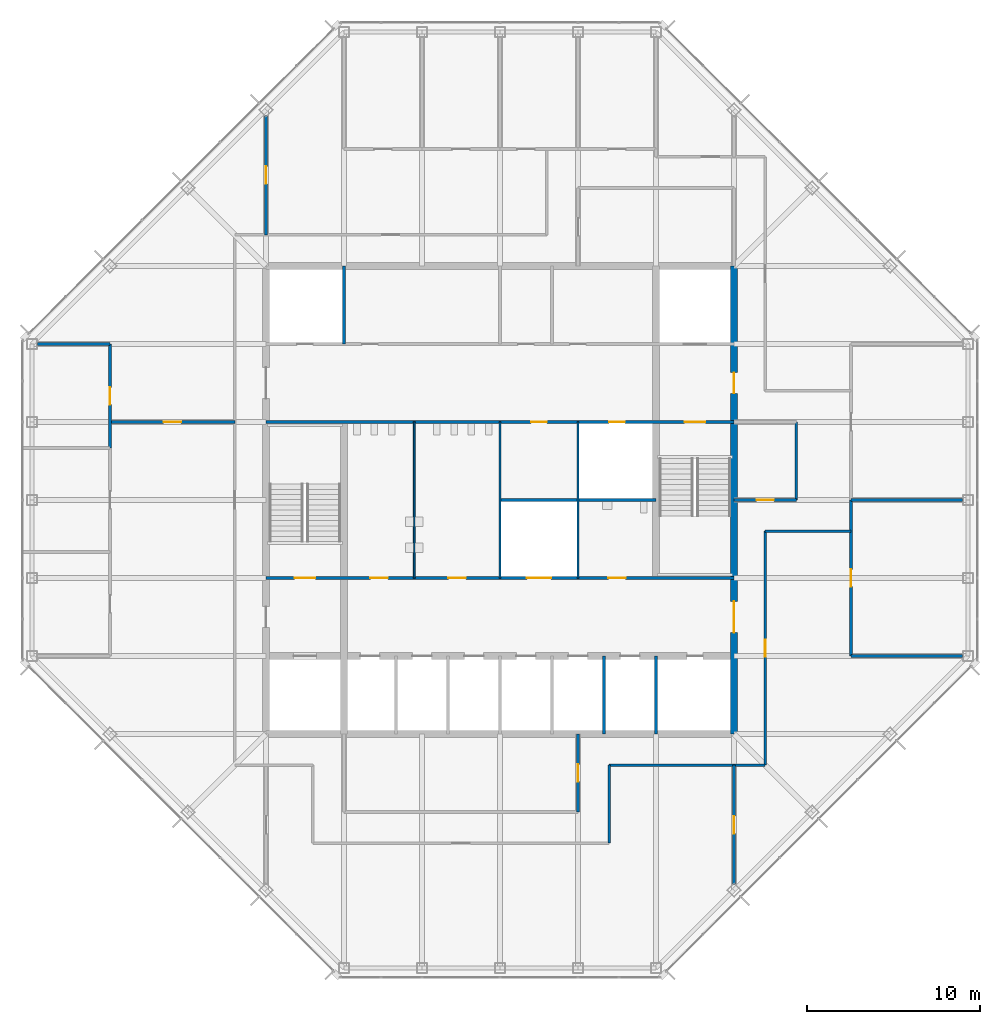
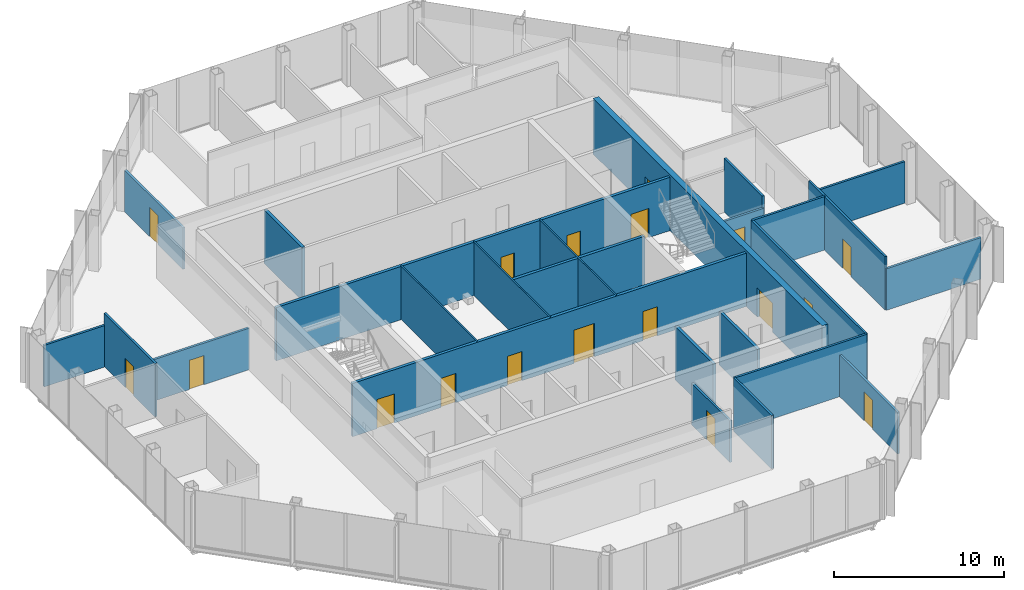
# One storey, part 10 of 14: 25 walls, 18 doors, 18 openings.
"""IFC4 building model written with IfcOpenShell, lengths in metres."""

from ifc_helpers import new_model, si_unit, direction, frame, frame_2d, origin, place, context, subcontext, project, spatial, rectangle, extrude, material, layer, layer_set, type_object, element, fill, save


model = new_model("IFC4")

# Units and contexts
model_context = context("Model", 3, precision=1e-05, world=origin(), true_north=direction((0.0, 1.0)))
body_context = subcontext(model_context, "Body", "Model", "MODEL_VIEW")
ifc_project = project(units=[si_unit("LENGTHUNIT", "METRE"), si_unit("AREAUNIT", "SQUARE_METRE"), si_unit("VOLUMEUNIT", "CUBIC_METRE"), si_unit("PLANEANGLEUNIT", "RADIAN"), si_unit("MASSUNIT", "GRAM", prefix="KILO")], contexts=[model_context])

# Site, building, storey
site_placement = place(None, origin())
site = spatial("IfcSite", under=ifc_project, at=site_placement, CompositionType="ELEMENT")
building_placement = place(site_placement, origin())
building = spatial("IfcBuilding", under=site, at=building_placement, Name="Corais Broadcast Tower", CompositionType="ELEMENT")
storey_placement = place(building_placement, frame((0.0, 0.0, 286.60009765625)))
storey = spatial("IfcBuildingStorey", under=building, at=storey_placement, Name="L67", CompositionType="ELEMENT", Elevation=286.60009765625)

# Walls
ifc_material_1 = material(Name="Concrete blockwork class A, grouted, two-hour", Category="masonry")
ifc_layer_1 = layer(ifc_material_1, 0.199951171875)
ifc_layer_set_1 = layer_set([ifc_layer_1], Name="Concrete blockwork class A, grouted, two-hour")
wall_type_1 = type_object("IfcWallType", Name="Core lobby wall 200", PredefinedType="SOLIDWALL", material=ifc_layer_set_1)
for number, where, z_axis, x_axis, name in (
    (1, (18.0, 36.0, 0.0), (0.0, 0.0, 1.0), (0.0, 1.0, 0.0), "CL3 core shaft wall X18B L67"),
    (2, (36.0, 13.5, 0.0), (0.0, 0.0, 1.0), (0.0, 1.0, 0.0), "CL3 core shaft wall X36A L67"),
):
    element("IfcWall", number, at=place(storey_placement, frame(where, z_axis=z_axis, x_axis=x_axis)), inside=storey, type_object=wall_type_1, Name=name, PredefinedType="SOLIDWALL", context=body_context, shape_type="SweptSolid", body=[
        extrude(rectangle(XDim=4.5, YDim=0.199951171875, at=frame_2d((2.25, 0.0))), origin(), (0.0, 0.0, 1.0), 3.83984375),
    ])

# Wall, openings, doors
wall_1_placement = place(storey_placement, frame((13.5, 22.5, 0.0), z_axis=(0.0, 0.0, 1.0), x_axis=(1.0, 0.0, 0.0)))
wall_1 = element("IfcWall", 3, at=wall_1_placement, inside=storey, type_object=wall_type_1, Name="CL3 core lobby wall Y225 L67", PredefinedType="SOLIDWALL", context=body_context, shape_type="SweptSolid", body=[
    extrude(rectangle(XDim=27.0, YDim=0.199951171875, at=frame_2d((13.5, 0.0))), origin(), (0.0, 0.0, 1.0), 3.83984375),
])
opening_1_placement = place(wall_1_placement, frame((1.64990234375, 0.0, 0.0)))
opening_1 = element("IfcOpeningElement", 4, at=opening_1_placement, cuts=wall_1, Name="Opening FD1", PredefinedType="OPENING", context=body_context, shape_type="SweptSolid", body=[
    extrude(rectangle(XDim=1.199951171875, YDim=2.10009765625, at=frame_2d((0.60009765625, 1.050048828125))), frame((0.0, 0.10986328125, 0.0), z_axis=(0.0, -1.0, 0.0), x_axis=(1.0, 0.0, 0.0)), (0.0, 0.0, 1.0), 0.219970703125),
])
opening_2_placement = place(wall_1_placement, frame((6.02490234375, 0.0, 0.0)))
opening_2 = element("IfcOpeningElement", 5, at=opening_2_placement, cuts=wall_1, Name="Opening WD1", PredefinedType="OPENING", context=body_context, shape_type="SweptSolid", body=[
    extrude(rectangle(XDim=1.0, YDim=2.10009765625, at=frame_2d((0.5, 1.050048828125))), frame((0.0, 0.10986328125, 0.0), z_axis=(0.0, -1.0, 0.0), x_axis=(1.0, 0.0, 0.0)), (0.0, 0.0, 1.0), 0.219970703125),
])
opening_3_placement = place(wall_1_placement, frame((10.52490234375, 0.0, 0.0)))
opening_3 = element("IfcOpeningElement", 6, at=opening_3_placement, cuts=wall_1, Name="Opening WD1", PredefinedType="OPENING", context=body_context, shape_type="SweptSolid", body=[
    extrude(rectangle(XDim=1.0, YDim=2.10009765625, at=frame_2d((0.5, 1.050048828125))), frame((0.0, 0.10986328125, 0.0), z_axis=(0.0, -1.0, 0.0), x_axis=(1.0, 0.0, 0.0)), (0.0, 0.0, 1.0), 0.219970703125),
])
opening_4_placement = place(wall_1_placement, frame((19.75, 0.0, 0.0)))
opening_4 = element("IfcOpeningElement", 7, at=opening_4_placement, cuts=wall_1, Name="Opening WD1", PredefinedType="OPENING", context=body_context, shape_type="SweptSolid", body=[
    extrude(rectangle(XDim=1.0, YDim=2.10009765625, at=frame_2d((0.5, 1.050048828125))), frame((0.0, 0.10986328125, 0.0), z_axis=(0.0, -1.0, 0.0), x_axis=(1.0, 0.0, 0.0)), (0.0, 0.0, 1.0), 0.219970703125),
])
opening_5_placement = place(wall_1_placement, frame((15.050048828125, 0.0, 0.0)))
opening_5 = element("IfcOpeningElement", 8, at=opening_5_placement, cuts=wall_1, Name="Opening LD3", PredefinedType="OPENING", context=body_context, shape_type="SweptSolid", body=[
    extrude(rectangle(XDim=1.39990234375, YDim=2.39990234375, at=frame_2d((0.699951171875, 1.199951171875))), frame((0.0, 0.10986328125, 0.0), z_axis=(0.0, -1.0, 0.0), x_axis=(1.0, 0.0, 0.0)), (0.0, 0.0, 1.0), 0.219970703125),
])
ifc_material_2 = material(Name="Steel fire door", Category="steel")
door_type_1 = type_object("IfcDoorType", Name="Fire door 1200x2100", OperationType="SINGLE_SWING_LEFT", PredefinedType="DOOR", material=ifc_material_2)
door_1_placement = place(opening_1_placement, origin())
door_1 = element("IfcDoor", 9, at=door_1_placement, inside=storey, type_object=door_type_1, Name="FD1 stair A door L67", OperationType="SINGLE_SWING_LEFT", OverallHeight=2.10009765625, OverallWidth=1.199951171875, PredefinedType="DOOR", context=body_context, shape_type="SweptSolid", body=[
    extrude(rectangle(XDim=1.199951171875, YDim=2.10009765625, at=frame_2d((0.60009765625, 1.050048828125))), frame((0.0, 0.02490234375, 0.0), z_axis=(0.0, -1.0, 0.0), x_axis=(1.0, 0.0, 0.0)), (0.0, 0.0, 1.0), 0.050048828125),
])
fill(opening_1, door_1)
ifc_material_3 = material(Name="Stainless steel lift door", Category="steel")
door_type_2 = type_object("IfcDoorType", Name="Service lift landing door 1400x2400", OperationType="SLIDING_TO_LEFT", PredefinedType="DOOR", material=ifc_material_3)
door_2_placement = place(opening_5_placement, origin())
door_2 = element("IfcDoor", 10, at=door_2_placement, inside=storey, type_object=door_type_2, Name="LD3 SL1 landing door L67", OperationType="SLIDING_TO_LEFT", OverallHeight=2.39990234375, OverallWidth=1.39990234375, PredefinedType="DOOR", context=body_context, shape_type="SweptSolid", body=[
    extrude(rectangle(XDim=1.39990234375, YDim=2.39990234375, at=frame_2d((0.699951171875, 1.199951171875))), frame((0.0, 0.02490234375, 0.0), z_axis=(0.0, -1.0, 0.0), x_axis=(1.0, 0.0, 0.0)), (0.0, 0.0, 1.0), 0.050048828125),
])
fill(opening_5, door_2)
ifc_material_4 = material(Name="Timber door", Category="wood")
door_type_3 = type_object("IfcDoorType", Name="Toilet door 1000x2100", OperationType="SINGLE_SWING_LEFT", PredefinedType="DOOR", material=ifc_material_4)
door_3_placement = place(opening_2_placement, origin())
door_3 = element("IfcDoor", 11, at=door_3_placement, inside=storey, type_object=door_type_3, Name="WD1 WC male door L67", OperationType="SINGLE_SWING_LEFT", OverallHeight=2.10009765625, OverallWidth=1.0, PredefinedType="DOOR", context=body_context, shape_type="SweptSolid", body=[
    extrude(rectangle(XDim=1.0, YDim=2.10009765625, at=frame_2d((0.5, 1.050048828125))), frame((0.0, 0.02490234375, 0.0), z_axis=(0.0, -1.0, 0.0), x_axis=(1.0, 0.0, 0.0)), (0.0, 0.0, 1.0), 0.050048828125),
])
fill(opening_2, door_3)
door_4_placement = place(opening_3_placement, origin())
door_4 = element("IfcDoor", 12, at=door_4_placement, inside=storey, type_object=door_type_3, Name="WD1 WC female door L67", OperationType="SINGLE_SWING_LEFT", OverallHeight=2.10009765625, OverallWidth=1.0, PredefinedType="DOOR", context=body_context, shape_type="SweptSolid", body=[
    extrude(rectangle(XDim=1.0, YDim=2.10009765625, at=frame_2d((0.5, 1.050048828125))), frame((0.0, 0.02490234375, 0.0), z_axis=(0.0, -1.0, 0.0), x_axis=(1.0, 0.0, 0.0)), (0.0, 0.0, 1.0), 0.050048828125),
])
fill(opening_3, door_4)
door_5_placement = place(opening_4_placement, origin())
door_5 = element("IfcDoor", 13, at=door_5_placement, inside=storey, type_object=door_type_3, Name="WD1 accessible WC door L67", OperationType="SINGLE_SWING_RIGHT", OverallHeight=2.10009765625, OverallWidth=1.0, PredefinedType="DOOR", context=body_context, shape_type="SweptSolid", body=[
    extrude(rectangle(XDim=1.0, YDim=2.10009765625, at=frame_2d((0.5, 1.050048828125))), frame((0.0, 0.02490234375, 0.0), z_axis=(0.0, -1.0, 0.0), x_axis=(1.0, 0.0, 0.0)), (0.0, 0.0, 1.0), 0.050048828125),
])
fill(opening_4, door_5)

wall_2_placement = place(storey_placement, frame((13.5, 31.5, 0.0), z_axis=(0.0, 0.0, 1.0), x_axis=(1.0, 0.0, 0.0)))
wall_2 = element("IfcWall", 14, at=wall_2_placement, inside=storey, type_object=wall_type_1, Name="CL3 core lobby wall Y315 L67", PredefinedType="SOLIDWALL", context=body_context, shape_type="SweptSolid", body=[
    extrude(rectangle(XDim=27.0, YDim=0.199951171875, at=frame_2d((13.5, 0.0))), origin(), (0.0, 0.0, 1.0), 3.83984375),
])
opening_6_placement = place(wall_2_placement, frame((24.14990234375, 0.0, 0.0)))
opening_6 = element("IfcOpeningElement", 15, at=opening_6_placement, cuts=wall_2, Name="Opening FD1", PredefinedType="OPENING", context=body_context, shape_type="SweptSolid", body=[
    extrude(rectangle(XDim=1.199951171875, YDim=2.10009765625, at=frame_2d((0.60009765625, 1.050048828125))), frame((0.0, 0.10986328125, 0.0), z_axis=(0.0, -1.0, 0.0), x_axis=(1.0, 0.0, 0.0)), (0.0, 0.0, 1.0), 0.219970703125),
])
opening_7_placement = place(wall_2_placement, frame((15.300048828125, 0.0, 0.0)))
opening_7 = element("IfcOpeningElement", 16, at=opening_7_placement, cuts=wall_2, Name="Opening RD1", PredefinedType="OPENING", context=body_context, shape_type="SweptSolid", body=[
    extrude(rectangle(XDim=0.89990234375, YDim=2.10009765625, at=frame_2d((0.449951171875, 1.050048828125))), frame((0.0, 0.10986328125, 0.0), z_axis=(0.0, -1.0, 0.0), x_axis=(1.0, 0.0, 0.0)), (0.0, 0.0, 1.0), 0.219970703125),
])
opening_8_placement = place(wall_2_placement, frame((19.800048828125, 0.0, 0.0)))
opening_8 = element("IfcOpeningElement", 17, at=opening_8_placement, cuts=wall_2, Name="Opening RD1", PredefinedType="OPENING", context=body_context, shape_type="SweptSolid", body=[
    extrude(rectangle(XDim=0.89990234375, YDim=2.10009765625, at=frame_2d((0.449951171875, 1.050048828125))), frame((0.0, 0.10986328125, 0.0), z_axis=(0.0, -1.0, 0.0), x_axis=(1.0, 0.0, 0.0)), (0.0, 0.0, 1.0), 0.219970703125),
])
door_6_placement = place(opening_6_placement, origin())
door_6 = element("IfcDoor", 18, at=door_6_placement, inside=storey, type_object=door_type_1, Name="FD1 stair B door L67", OperationType="SINGLE_SWING_RIGHT", OverallHeight=2.10009765625, OverallWidth=1.199951171875, PredefinedType="DOOR", context=body_context, shape_type="SweptSolid", body=[
    extrude(rectangle(XDim=1.199951171875, YDim=2.10009765625, at=frame_2d((0.60009765625, 1.050048828125))), frame((0.0, 0.02490234375, 0.0), z_axis=(0.0, -1.0, 0.0), x_axis=(1.0, 0.0, 0.0)), (0.0, 0.0, 1.0), 0.050048828125),
])
fill(opening_6, door_6)
ifc_material_5 = material(Name="Steel fire door", Category="steel")
door_type_4 = type_object("IfcDoorType", Name="Riser door 900x2100", OperationType="SINGLE_SWING_LEFT", PredefinedType="DOOR", material=ifc_material_5)
door_7_placement = place(opening_7_placement, origin())
door_7 = element("IfcDoor", 19, at=door_7_placement, inside=storey, type_object=door_type_4, Name="RD1 print room door L67", OperationType="SINGLE_SWING_RIGHT", OverallHeight=2.10009765625, OverallWidth=0.89990234375, PredefinedType="DOOR", context=body_context, shape_type="SweptSolid", body=[
    extrude(rectangle(XDim=0.89990234375, YDim=2.10009765625, at=frame_2d((0.449951171875, 1.050048828125))), frame((0.0, 0.02490234375, 0.0), z_axis=(0.0, -1.0, 0.0), x_axis=(1.0, 0.0, 0.0)), (0.0, 0.0, 1.0), 0.050048828125),
])
fill(opening_7, door_7)
door_8_placement = place(opening_8_placement, origin())
door_8 = element("IfcDoor", 20, at=door_8_placement, inside=storey, type_object=door_type_4, Name="RD1 riser door L67", OperationType="SINGLE_SWING_RIGHT", OverallHeight=2.10009765625, OverallWidth=0.89990234375, PredefinedType="DOOR", context=body_context, shape_type="SweptSolid", body=[
    extrude(rectangle(XDim=0.89990234375, YDim=2.10009765625, at=frame_2d((0.449951171875, 1.050048828125))), frame((0.0, 0.02490234375, 0.0), z_axis=(0.0, -1.0, 0.0), x_axis=(1.0, 0.0, 0.0)), (0.0, 0.0, 1.0), 0.050048828125),
])
fill(opening_8, door_8)

ifc_material_6 = material(Name="Concrete C50/60", Category="concrete")
ifc_layer_2 = layer(ifc_material_6, 0.39990234375)
ifc_layer_set_2 = layer_set([ifc_layer_2], Name="Concrete C50/60")
wall_type_2 = type_object("IfcWallType", Name="Core wall 400", PredefinedType="SHEAR", material=ifc_layer_set_2)
wall_3_placement = place(storey_placement, frame((40.5, 13.5, 0.0), z_axis=(0.0, 0.0, 1.0), x_axis=(0.0, 1.0, 0.0)))
wall_3 = element("IfcWall", 21, at=wall_3_placement, inside=storey, type_object=wall_type_2, Name="CR400 core wall E L67", PredefinedType="SHEAR", context=body_context, shape_type="SweptSolid", body=[
    extrude(rectangle(XDim=27.0, YDim=0.39990234375, at=frame_2d((13.5, 0.0))), origin(), (0.0, 0.0, 1.0), 4.0),
])
opening_9_placement = place(wall_3_placement, frame((5.85009765625, 0.0, 0.0)))
opening_9 = element("IfcOpeningElement", 22, at=opening_9_placement, cuts=wall_3, Name="Opening FD2", PredefinedType="OPENING", context=body_context, shape_type="SweptSolid", body=[
    extrude(rectangle(XDim=1.800048828125, YDim=2.10009765625, at=frame_2d((0.89990234375, 1.050048828125))), frame((0.0, 0.2099609375, 0.0), z_axis=(0.0, -1.0, 0.0), x_axis=(1.0, 0.0, 0.0)), (0.0, 0.0, 1.0), 0.419921875),
])
opening_10_placement = place(wall_3_placement, frame((19.64990234375, 0.0, 0.0)))
opening_10 = element("IfcOpeningElement", 23, at=opening_10_placement, cuts=wall_3, Name="Opening FD1", PredefinedType="OPENING", context=body_context, shape_type="SweptSolid", body=[
    extrude(rectangle(XDim=1.199951171875, YDim=2.10009765625, at=frame_2d((0.60009765625, 1.050048828125))), frame((0.0, 0.2099609375, 0.0), z_axis=(0.0, -1.0, 0.0), x_axis=(1.0, 0.0, 0.0)), (0.0, 0.0, 1.0), 0.419921875),
])
door_9_placement = place(opening_10_placement, origin())
door_9 = element("IfcDoor", 24, at=door_9_placement, inside=storey, type_object=door_type_1, Name="FD1 fire lobby B door L67", OperationType="SINGLE_SWING_RIGHT", OverallHeight=2.10009765625, OverallWidth=1.199951171875, PredefinedType="DOOR", context=body_context, shape_type="SweptSolid", body=[
    extrude(rectangle(XDim=1.199951171875, YDim=2.10009765625, at=frame_2d((0.60009765625, 1.050048828125))), frame((0.0, 0.02490234375, 0.0), z_axis=(0.0, -1.0, 0.0), x_axis=(1.0, 0.0, 0.0)), (0.0, 0.0, 1.0), 0.050048828125),
])
fill(opening_10, door_9)
ifc_material_7 = material(Name="Steel fire door", Category="steel")
door_type_5 = type_object("IfcDoorType", Name="Fire door pair 1800x2100", OperationType="DOUBLE_DOOR_SINGLE_SWING", PredefinedType="DOOR", material=ifc_material_7)
door_10_placement = place(opening_9_placement, origin())
door_10 = element("IfcDoor", 25, at=door_10_placement, inside=storey, type_object=door_type_5, Name="FD2 lift lobby door L67", OperationType="SINGLE_SWING_LEFT", OverallHeight=2.10009765625, OverallWidth=1.800048828125, PredefinedType="DOOR", context=body_context, shape_type="SweptSolid", body=[
    extrude(rectangle(XDim=1.800048828125, YDim=2.10009765625, at=frame_2d((0.89990234375, 1.050048828125))), frame((0.0, 0.02490234375, 0.0), z_axis=(0.0, -1.0, 0.0), x_axis=(1.0, 0.0, 0.0)), (0.0, 0.0, 1.0), 0.050048828125),
])
fill(opening_9, door_10)

# Wall, opening, door
ifc_material_8 = material(Name="Gypsum board on steel studs", Category="steel")
ifc_layer_3 = layer(ifc_material_8, 0.14990234375)
ifc_layer_set_3 = layer_set([ifc_layer_3], Name="Gypsum board on steel studs")
wall_type_3 = type_object("IfcWallType", Name="Partition 150", PredefinedType="PARTITIONING", material=ifc_layer_set_3)
wall_4_placement = place(storey_placement, frame((42.300048828125, 11.699951171875, 0.0), z_axis=(0.0, 0.0, 1.0), x_axis=(0.0, 1.0, 0.0)))
wall_4 = element("IfcWall", 26, at=wall_4_placement, inside=storey, type_object=wall_type_3, Name="IW3 corridor wall L67", PredefinedType="PARTITIONING", context=body_context, shape_type="SweptSolid", body=[
    extrude(rectangle(XDim=13.5, YDim=0.14990234375, at=frame_2d((6.75, 0.0))), origin(), (0.0, 0.0, 1.0), 3.83984375),
])
opening_11_placement = place(wall_4_placement, frame((6.25, 0.0, 0.0)))
opening_11 = element("IfcOpeningElement", 27, at=opening_11_placement, cuts=wall_4, Name="Opening D1", PredefinedType="OPENING", context=body_context, shape_type="SweptSolid", body=[
    extrude(rectangle(XDim=1.0, YDim=2.10009765625, at=frame_2d((0.5, 1.050048828125))), frame((0.0, 0.0849609375, 0.0), z_axis=(0.0, -1.0, 0.0), x_axis=(1.0, 0.0, 0.0)), (0.0, 0.0, 1.0), 0.169921875),
])
ifc_material_9 = material(Name="Timber door", Category="wood")
door_type_6 = type_object("IfcDoorType", Name="Single door 1000x2100", OperationType="SINGLE_SWING_LEFT", PredefinedType="DOOR", material=ifc_material_9)
door_11_placement = place(opening_11_placement, origin())
door_11 = element("IfcDoor", 28, at=door_11_placement, inside=storey, type_object=door_type_6, Name="D1 workplace door L67", OperationType="SINGLE_SWING_LEFT", OverallHeight=2.10009765625, OverallWidth=1.0, PredefinedType="DOOR", context=body_context, shape_type="SweptSolid", body=[
    extrude(rectangle(XDim=1.0, YDim=2.10009765625, at=frame_2d((0.5, 1.050048828125))), frame((0.0, 0.02490234375, 0.0), z_axis=(0.0, -1.0, 0.0), x_axis=(1.0, 0.0, 0.0)), (0.0, 0.0, 1.0), 0.050048828125),
])
fill(opening_11, door_11)

# Walls
wall_5_placement = place(storey_placement, frame((33.300048828125, 11.699951171875, 0.0), z_axis=(0.0, 0.0, 1.0), x_axis=(1.0, 0.0, 0.0)))
element("IfcWall", 29, at=wall_5_placement, inside=storey, type_object=wall_type_3, Name="IW3 corridor wall L67", PredefinedType="PARTITIONING", context=body_context, shape_type="SweptSolid", body=[
    extrude(rectangle(XDim=9.0, YDim=0.14990234375, at=frame_2d((4.5, 0.0))), origin(), (0.0, 0.0, 1.0), 3.83984375),
])
wall_6_placement = place(storey_placement, frame((42.300048828125, 25.199951171875, 0.0), z_axis=(0.0, 0.0, 1.0), x_axis=(1.0, 0.0, 0.0)))
element("IfcWall", 30, at=wall_6_placement, inside=storey, type_object=wall_type_3, Name="IW3 corridor wall L67", PredefinedType="PARTITIONING", context=body_context, shape_type="SweptSolid", body=[
    extrude(rectangle(XDim=4.949951171875, YDim=0.14990234375, at=frame_2d((2.47509765625, 0.0))), origin(), (0.0, 0.0, 1.0), 3.83984375),
])
wall_7_placement = place(storey_placement, frame((33.300048828125, 7.199951171875, 0.0), z_axis=(0.0, 0.0, 1.0), x_axis=(0.0, 1.0, 0.0)))
element("IfcWall", 31, at=wall_7_placement, inside=storey, type_object=wall_type_3, Name="IW3 corridor wall L67", PredefinedType="PARTITIONING", context=body_context, shape_type="SweptSolid", body=[
    extrude(rectangle(XDim=4.5, YDim=0.14990234375, at=frame_2d((2.25, 0.0))), origin(), (0.0, 0.0, 1.0), 3.83984375),
])

# Wall, opening, door
wall_8_placement = place(storey_placement, frame((4.5, 30.0, 0.0), z_axis=(0.0, 0.0, 1.0), x_axis=(0.0, 1.0, 0.0)))
wall_8 = element("IfcWall", 32, at=wall_8_placement, inside=storey, type_object=wall_type_3, Name="IW3 partition L67", PredefinedType="PARTITIONING", context=body_context, shape_type="SweptSolid", body=[
    extrude(rectangle(XDim=6.0, YDim=0.14990234375, at=frame_2d((3.0, 0.0))), origin(), (0.0, 0.0, 1.0), 3.83984375),
])
opening_12_placement = place(wall_8_placement, frame((2.5, 0.0, 0.0)))
opening_12 = element("IfcOpeningElement", 33, at=opening_12_placement, cuts=wall_8, Name="Opening D1", PredefinedType="OPENING", context=body_context, shape_type="SweptSolid", body=[
    extrude(rectangle(XDim=1.0, YDim=2.10009765625, at=frame_2d((0.5, 1.050048828125))), frame((0.0, 0.0849609375, 0.0), z_axis=(0.0, -1.0, 0.0), x_axis=(1.0, 0.0, 0.0)), (0.0, 0.0, 1.0), 0.169921875),
])
door_12_placement = place(opening_12_placement, origin())
door_12 = element("IfcDoor", 34, at=door_12_placement, inside=storey, type_object=door_type_6, Name="D1 Office door", OperationType="SINGLE_SWING_LEFT", OverallHeight=2.10009765625, OverallWidth=1.0, PredefinedType="DOOR", context=body_context, shape_type="SweptSolid", body=[
    extrude(rectangle(XDim=1.0, YDim=2.10009765625, at=frame_2d((0.5, 1.050048828125))), frame((0.0, 0.02490234375, 0.0), z_axis=(0.0, -1.0, 0.0), x_axis=(1.0, 0.0, 0.0)), (0.0, 0.0, 1.0), 0.050048828125),
])
fill(opening_12, door_12)

# Wall
wall_9_placement = place(storey_placement, frame((4.5, 36.0, 0.0), z_axis=(0.0, 0.0, 1.0), x_axis=(-1.0, 0.0, 0.0)))
element("IfcWall", 35, at=wall_9_placement, inside=storey, type_object=wall_type_3, Name="IW3 partition L67", PredefinedType="PARTITIONING", context=body_context, shape_type="SweptSolid", body=[
    extrude(rectangle(XDim=4.18994140625, YDim=0.14990234375, at=frame_2d((2.094970703125, 0.0))), origin(), (0.0, 0.0, 1.0), 2.989013671875),
])

# Wall, opening, door
wall_10_placement = place(storey_placement, frame((31.5, 9.0, 0.0), z_axis=(0.0, 0.0, 1.0), x_axis=(0.0, 1.0, 0.0)))
wall_10 = element("IfcWall", 36, at=wall_10_placement, inside=storey, type_object=wall_type_3, Name="IW3 partition L67", PredefinedType="PARTITIONING", context=body_context, shape_type="SweptSolid", body=[
    extrude(rectangle(XDim=4.5, YDim=0.14990234375, at=frame_2d((2.25, 0.0))), origin(), (0.0, 0.0, 1.0), 2.989013671875),
])
opening_13_placement = place(wall_10_placement, frame((1.75, 0.0, 0.0)))
opening_13 = element("IfcOpeningElement", 37, at=opening_13_placement, cuts=wall_10, Name="Opening D1", PredefinedType="OPENING", context=body_context, shape_type="SweptSolid", body=[
    extrude(rectangle(XDim=1.0, YDim=2.10009765625, at=frame_2d((0.5, 1.050048828125))), frame((0.0, 0.0849609375, 0.0), z_axis=(0.0, -1.0, 0.0), x_axis=(1.0, 0.0, 0.0)), (0.0, 0.0, 1.0), 0.169921875),
])
door_13_placement = place(opening_13_placement, origin())
door_13 = element("IfcDoor", 38, at=door_13_placement, inside=storey, type_object=door_type_6, Name="D1 Board meeting room door", OperationType="SINGLE_SWING_LEFT", OverallHeight=2.10009765625, OverallWidth=1.0, PredefinedType="DOOR", context=body_context, shape_type="SweptSolid", body=[
    extrude(rectangle(XDim=1.0, YDim=2.10009765625, at=frame_2d((0.5, 1.050048828125))), frame((0.0, 0.02490234375, 0.0), z_axis=(0.0, -1.0, 0.0), x_axis=(1.0, 0.0, 0.0)), (0.0, 0.0, 1.0), 0.050048828125),
])
fill(opening_13, door_13)

wall_11_placement = place(storey_placement, frame((40.5, 27.0, 0.0), z_axis=(0.0, 0.0, 1.0), x_axis=(1.0, 0.0, 0.0)))
wall_11 = element("IfcWall", 39, at=wall_11_placement, inside=storey, type_object=wall_type_3, Name="IW3 partition L67", PredefinedType="PARTITIONING", context=body_context, shape_type="SweptSolid", body=[
    extrude(rectangle(XDim=3.60009765625, YDim=0.14990234375, at=frame_2d((1.800048828125, 0.0))), origin(), (0.0, 0.0, 1.0), 2.989013671875),
])
opening_14_placement = place(wall_11_placement, frame((1.300048828125, 0.0, 0.0)))
opening_14 = element("IfcOpeningElement", 40, at=opening_14_placement, cuts=wall_11, Name="Opening D1", PredefinedType="OPENING", context=body_context, shape_type="SweptSolid", body=[
    extrude(rectangle(XDim=1.0, YDim=2.10009765625, at=frame_2d((0.5, 1.050048828125))), frame((0.0, 0.0849609375, 0.0), z_axis=(0.0, -1.0, 0.0), x_axis=(1.0, 0.0, 0.0)), (0.0, 0.0, 1.0), 0.169921875),
])
door_14_placement = place(opening_14_placement, origin())
door_14 = element("IfcDoor", 41, at=door_14_placement, inside=storey, type_object=door_type_6, Name="D1 Pantry door", OperationType="SINGLE_SWING_LEFT", OverallHeight=2.10009765625, OverallWidth=1.0, PredefinedType="DOOR", context=body_context, shape_type="SweptSolid", body=[
    extrude(rectangle(XDim=1.0, YDim=2.10009765625, at=frame_2d((0.5, 1.050048828125))), frame((0.0, 0.02490234375, 0.0), z_axis=(0.0, -1.0, 0.0), x_axis=(1.0, 0.0, 0.0)), (0.0, 0.0, 1.0), 0.050048828125),
])
fill(opening_14, door_14)

# Walls
wall_12_placement = place(storey_placement, frame((44.10009765625, 27.0, 0.0), z_axis=(0.0, 0.0, 1.0), x_axis=(0.0, 1.0, 0.0)))
element("IfcWall", 42, at=wall_12_placement, inside=storey, type_object=wall_type_3, Name="IW3 partition L67", PredefinedType="PARTITIONING", context=body_context, shape_type="SweptSolid", body=[
    extrude(rectangle(XDim=4.5, YDim=0.14990234375, at=frame_2d((2.25, 0.0))), origin(), (0.0, 0.0, 1.0), 3.83984375),
])
for number, where, z_axis, x_axis, name in (
    (43, (47.25, 18.0, 0.0), (0.0, 0.0, 1.0), (1.0, 0.0, 0.0), "IW3 partition L67"),
    (44, (53.68994140625, 27.0, 0.0), (0.0, 0.0, 1.0), (-1.0, 0.0, 0.0), "IW3 partition L67"),
):
    element("IfcWall", number, at=place(storey_placement, frame(where, z_axis=z_axis, x_axis=x_axis)), inside=storey, type_object=wall_type_3, Name=name, PredefinedType="PARTITIONING", context=body_context, shape_type="SweptSolid", body=[
        extrude(rectangle(XDim=6.43994140625, YDim=0.14990234375, at=frame_2d((3.219970703125, 0.0))), origin(), (0.0, 0.0, 1.0), 2.989013671875),
    ])

# Wall, opening, door
wall_13_placement = place(storey_placement, frame((47.25, 27.0, 0.0), z_axis=(0.0, 0.0, 1.0), x_axis=(0.0, -1.0, 0.0)))
wall_13 = element("IfcWall", 45, at=wall_13_placement, inside=storey, type_object=wall_type_3, Name="IW3 partition L67", PredefinedType="PARTITIONING", context=body_context, shape_type="SweptSolid", body=[
    extrude(rectangle(XDim=9.0, YDim=0.14990234375, at=frame_2d((4.5, 0.0))), origin(), (0.0, 0.0, 1.0), 3.83984375),
])
opening_15_placement = place(wall_13_placement, frame((4.0, 0.0, 0.0)))
opening_15 = element("IfcOpeningElement", 46, at=opening_15_placement, cuts=wall_13, Name="Opening D1", PredefinedType="OPENING", context=body_context, shape_type="SweptSolid", body=[
    extrude(rectangle(XDim=1.0, YDim=2.10009765625, at=frame_2d((0.5, 1.050048828125))), frame((0.0, 0.0849609375, 0.0), z_axis=(0.0, -1.0, 0.0), x_axis=(1.0, 0.0, 0.0)), (0.0, 0.0, 1.0), 0.169921875),
])
door_15_placement = place(opening_15_placement, origin())
door_15 = element("IfcDoor", 47, at=door_15_placement, inside=storey, type_object=door_type_6, Name="D1 Counsel suite door", OperationType="SINGLE_SWING_LEFT", OverallHeight=2.10009765625, OverallWidth=1.0, PredefinedType="DOOR", context=body_context, shape_type="SweptSolid", body=[
    extrude(rectangle(XDim=1.0, YDim=2.10009765625, at=frame_2d((0.5, 1.050048828125))), frame((0.0, 0.02490234375, 0.0), z_axis=(0.0, -1.0, 0.0), x_axis=(1.0, 0.0, 0.0)), (0.0, 0.0, 1.0), 0.050048828125),
])
fill(opening_15, door_15)

wall_14_placement = place(storey_placement, frame((13.5, 42.300048828125, 0.0), z_axis=(0.0, 0.0, 1.0), x_axis=(0.0, 1.0, 0.0)))
wall_14 = element("IfcWall", 48, at=wall_14_placement, inside=storey, type_object=wall_type_3, Name="IW3 partition L67", PredefinedType="PARTITIONING", context=body_context, shape_type="SweptSolid", body=[
    extrude(rectangle(XDim=6.8798828125, YDim=0.14990234375, at=frame_2d((3.43994140625, 0.0))), origin(), (0.0, 0.0, 1.0), 2.989013671875),
])
opening_16_placement = place(wall_14_placement, frame((2.93994140625, 0.0, 0.0)))
opening_16 = element("IfcOpeningElement", 49, at=opening_16_placement, cuts=wall_14, Name="Opening D1", PredefinedType="OPENING", context=body_context, shape_type="SweptSolid", body=[
    extrude(rectangle(XDim=1.0, YDim=2.10009765625, at=frame_2d((0.5, 1.050048828125))), frame((0.0, 0.0849609375, 0.0), z_axis=(0.0, -1.0, 0.0), x_axis=(1.0, 0.0, 0.0)), (0.0, 0.0, 1.0), 0.169921875),
])
door_16_placement = place(opening_16_placement, origin())
door_16 = element("IfcDoor", 50, at=door_16_placement, inside=storey, type_object=door_type_6, Name="D1 team room door L67", OperationType="SINGLE_SWING_LEFT", OverallHeight=2.10009765625, OverallWidth=1.0, PredefinedType="DOOR", context=body_context, shape_type="SweptSolid", body=[
    extrude(rectangle(XDim=1.0, YDim=2.10009765625, at=frame_2d((0.5, 1.050048828125))), frame((0.0, 0.02490234375, 0.0), z_axis=(0.0, -1.0, 0.0), x_axis=(1.0, 0.0, 0.0)), (0.0, 0.0, 1.0), 0.050048828125),
])
fill(opening_16, door_16)

wall_15_placement = place(storey_placement, frame((40.5, 4.820068359375, 0.0), z_axis=(0.0, 0.0, 1.0), x_axis=(0.0, 1.0, 0.0)))
wall_15 = element("IfcWall", 51, at=wall_15_placement, inside=storey, type_object=wall_type_3, Name="IW3 partition L67", PredefinedType="PARTITIONING", context=body_context, shape_type="SweptSolid", body=[
    extrude(rectangle(XDim=6.8798828125, YDim=0.14990234375, at=frame_2d((3.43994140625, 0.0))), origin(), (0.0, 0.0, 1.0), 2.989013671875),
])
opening_17_placement = place(wall_15_placement, frame((2.93994140625, 0.0, 0.0)))
opening_17 = element("IfcOpeningElement", 52, at=opening_17_placement, cuts=wall_15, Name="Opening D1", PredefinedType="OPENING", context=body_context, shape_type="SweptSolid", body=[
    extrude(rectangle(XDim=1.0, YDim=2.10009765625, at=frame_2d((0.5, 1.050048828125))), frame((0.0, 0.0849609375, 0.0), z_axis=(0.0, -1.0, 0.0), x_axis=(1.0, 0.0, 0.0)), (0.0, 0.0, 1.0), 0.169921875),
])
door_17_placement = place(opening_17_placement, origin())
door_17 = element("IfcDoor", 53, at=door_17_placement, inside=storey, type_object=door_type_6, Name="D1 team room door L67", OperationType="SINGLE_SWING_LEFT", OverallHeight=2.10009765625, OverallWidth=1.0, PredefinedType="DOOR", context=body_context, shape_type="SweptSolid", body=[
    extrude(rectangle(XDim=1.0, YDim=2.10009765625, at=frame_2d((0.5, 1.050048828125))), frame((0.0, 0.02490234375, 0.0), z_axis=(0.0, -1.0, 0.0), x_axis=(1.0, 0.0, 0.0)), (0.0, 0.0, 1.0), 0.050048828125),
])
fill(opening_17, door_17)

wall_16_placement = place(storey_placement, frame((4.5, 31.5, 0.0), z_axis=(0.0, 0.0, 1.0), x_axis=(1.0, 0.0, 0.0)))
wall_16 = element("IfcWall", 54, at=wall_16_placement, inside=storey, type_object=wall_type_3, Name="IW3 partition L67", PredefinedType="PARTITIONING", context=body_context, shape_type="SweptSolid", body=[
    extrude(rectangle(XDim=7.199951171875, YDim=0.14990234375, at=frame_2d((3.60009765625, 0.0))), origin(), (0.0, 0.0, 1.0), 2.989013671875),
])
opening_18_placement = place(wall_16_placement, frame((3.10009765625, 0.0, 0.0)))
opening_18 = element("IfcOpeningElement", 55, at=opening_18_placement, cuts=wall_16, Name="Opening D1", PredefinedType="OPENING", context=body_context, shape_type="SweptSolid", body=[
    extrude(rectangle(XDim=1.0, YDim=2.10009765625, at=frame_2d((0.5, 1.050048828125))), frame((0.0, 0.0849609375, 0.0), z_axis=(0.0, -1.0, 0.0), x_axis=(1.0, 0.0, 0.0)), (0.0, 0.0, 1.0), 0.169921875),
])
door_18_placement = place(opening_18_placement, origin())
door_18 = element("IfcDoor", 56, at=door_18_placement, inside=storey, type_object=door_type_6, Name="D1 team room door L67", OperationType="SINGLE_SWING_LEFT", OverallHeight=2.10009765625, OverallWidth=1.0, PredefinedType="DOOR", context=body_context, shape_type="SweptSolid", body=[
    extrude(rectangle(XDim=1.0, YDim=2.10009765625, at=frame_2d((0.5, 1.050048828125))), frame((0.0, 0.02490234375, 0.0), z_axis=(0.0, -1.0, 0.0), x_axis=(1.0, 0.0, 0.0)), (0.0, 0.0, 1.0), 0.050048828125),
])
fill(opening_18, door_18)

# Walls
ifc_material_10 = material(Name="Concrete blockwork class A, grouted, two-hour", Category="masonry")
ifc_layer_4 = layer(ifc_material_10, 0.199951171875)
ifc_layer_set_4 = layer_set([ifc_layer_4], Name="Concrete blockwork class A, grouted, two-hour")
wall_type_4 = type_object("IfcWallType", Name="Shaft wall 200", PredefinedType="PARTITIONING", material=ifc_layer_set_4)
wall_17_placement = place(storey_placement, frame((33.0, 13.5, 0.0), z_axis=(0.0, 0.0, 1.0), x_axis=(0.0, 1.0, 0.0)))
element("IfcWall", 57, at=wall_17_placement, inside=storey, type_object=wall_type_4, Name="IW1 shaft wall L67", PredefinedType="PARTITIONING", context=body_context, shape_type="SweptSolid", body=[
    extrude(rectangle(XDim=4.5, YDim=0.199951171875, at=frame_2d((2.25, 0.0))), origin(), (0.0, 0.0, 1.0), 3.83984375),
])
wall_18_placement = place(storey_placement, frame((27.0, 27.0, 0.0), z_axis=(0.0, 0.0, 1.0), x_axis=(1.0, 0.0, 0.0)))
element("IfcWall", 58, at=wall_18_placement, inside=storey, type_object=wall_type_4, Name="IW1 shaft wall L67", PredefinedType="PARTITIONING", context=body_context, shape_type="SweptSolid", body=[
    extrude(rectangle(XDim=9.0, YDim=0.199951171875, at=frame_2d((4.5, 0.0))), origin(), (0.0, 0.0, 1.0), 3.83984375),
])
ifc_material_11 = material(Name="Dense concrete blockwork class A, tiled both faces", Category="masonry")
ifc_layer_5 = layer(ifc_material_11, 0.10009765625)
ifc_layer_set_5 = layer_set([ifc_layer_5], Name="Dense concrete blockwork class A, tiled both faces")
wall_type_5 = type_object("IfcWallType", Name="Toilet wall 100", PredefinedType="PLUMBINGWALL", material=ifc_layer_set_5)
for number, where, z_axis, x_axis, name in (
    (59, (22.050048828125, 22.5, 0.0), (0.0, 0.0, 1.0), (0.0, 1.0, 0.0), "IW2 toilet wall L67"),
    (60, (27.0, 22.5, 0.0), (0.0, 0.0, 1.0), (0.0, 1.0, 0.0), "IW2 toilet wall L67"),
    (61, (31.5, 22.5, 0.0), (0.0, 0.0, 1.0), (0.0, 1.0, 0.0), "IW2 toilet wall L67"),
):
    element("IfcWall", number, at=place(storey_placement, frame(where, z_axis=z_axis, x_axis=x_axis)), inside=storey, type_object=wall_type_5, Name=name, PredefinedType="PLUMBINGWALL", context=body_context, shape_type="SweptSolid", body=[
        extrude(rectangle(XDim=9.0, YDim=0.10009765625, at=frame_2d((4.5, 0.0))), origin(), (0.0, 0.0, 1.0), 3.83984375),
    ])

save(model, "model.ifc")
